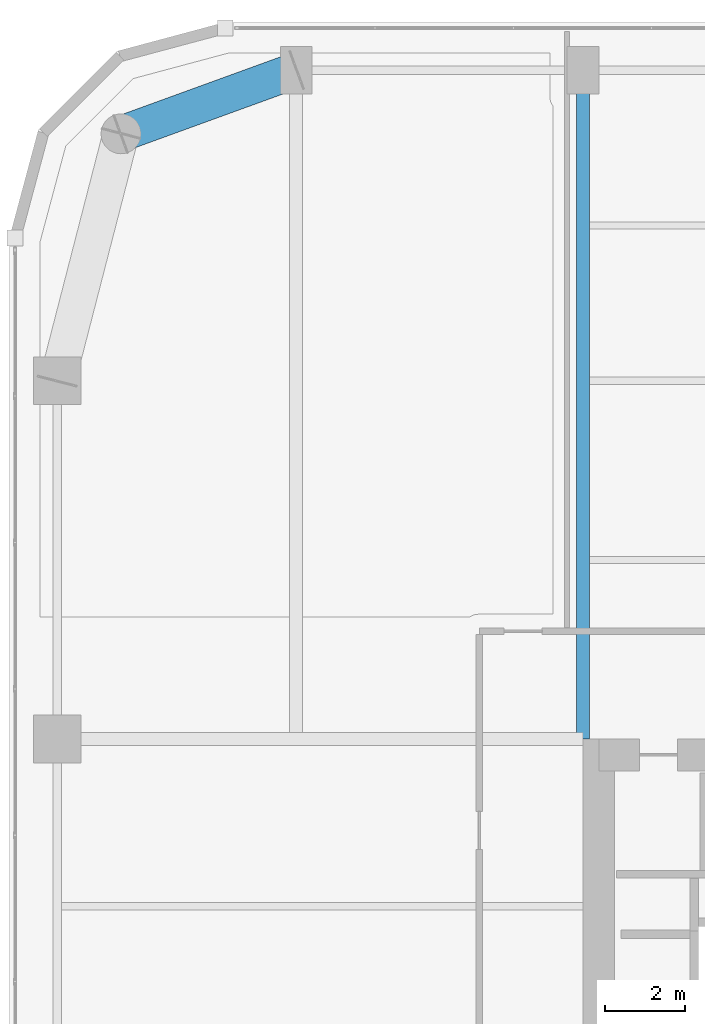
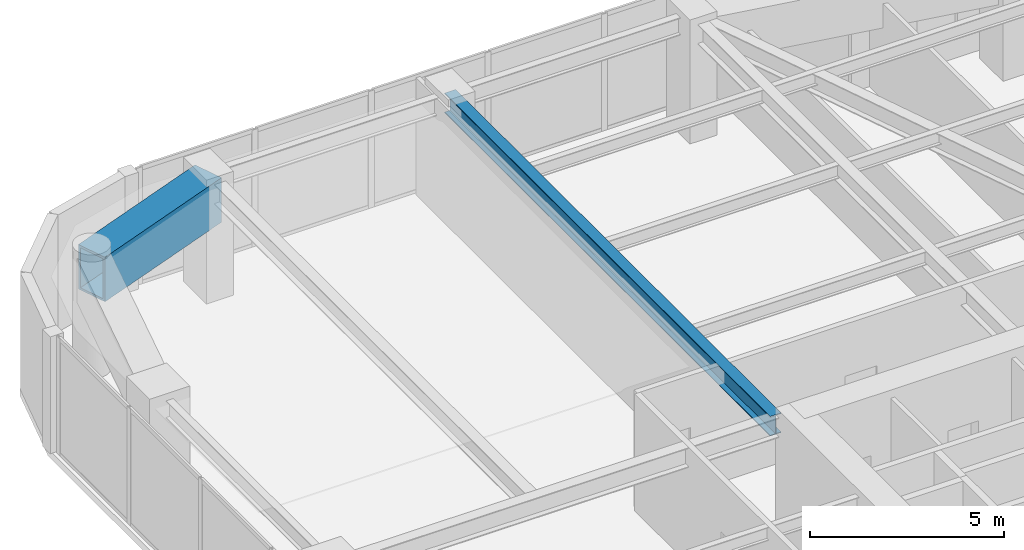
# One storey, part 16 of 30: 2 beams.
"""IFC4 building model written with IfcOpenShell, lengths in metres."""

from ifc_helpers import new_model, si_unit, direction, frame, origin, origin_2d, place, context, subcontext, project, spatial, hollow_rectangle, i_section, extrude, material, material_profile, profile_set, type_object, element, save


model = new_model("IFC4")

# Units and contexts
model_context = context("Model", 3, precision=1e-05, world=origin(), true_north=direction((0.0, 1.0)))
body_context = subcontext(model_context, "Body", "Model", "MODEL_VIEW")
ifc_project = project(units=[si_unit("LENGTHUNIT", "METRE"), si_unit("AREAUNIT", "SQUARE_METRE"), si_unit("VOLUMEUNIT", "CUBIC_METRE"), si_unit("PLANEANGLEUNIT", "RADIAN"), si_unit("MASSUNIT", "GRAM", prefix="KILO")], contexts=[model_context])

# Site, building, storey
site_placement = place(None, origin())
site = spatial("IfcSite", under=ifc_project, at=site_placement, CompositionType="ELEMENT")
building_placement = place(site_placement, origin())
building = spatial("IfcBuilding", under=site, at=building_placement, Name="Kiyonajd Concourse Tower", CompositionType="ELEMENT")
storey_placement = place(building_placement, frame((0.0, 0.0, 170.10009765625)))
storey = spatial("IfcBuildingStorey", under=building, at=storey_placement, Name="L43", CompositionType="ELEMENT", Elevation=170.10009765625)

# Beams
ifc_material_1 = material(Name="Steel ASTM A992 Grade 50", Category="steel")
ifc_material_profile_1 = material_profile(ifc_material_1, i_section(OverallWidth=0.326904296875, OverallDepth=0.6220703125, WebThickness=0.015380859375, FlangeThickness=0.0244140625, at=origin_2d()), Name="W610X195")
ifc_profile_set_1 = profile_set([ifc_material_profile_1], Name="Steel ASTM A992 Grade 50")
beam_type_1 = type_object("IfcBeamType", Name="BM-TWR-610A", PredefinedType="BEAM", material=ifc_profile_set_1)
beam_1_placement = place(storey_placement, frame((32.39990234375, 44.39990234375, 3.368896484375), z_axis=(0.0, 1.0, 0.0), x_axis=(-1.0, 0.0, 0.0)))
element("IfcBeam", 1, at=beam_1_placement, inside=storey, type_object=beam_type_1, Name="L43 North Lease Girder", PredefinedType="BEAM", context=body_context, shape_type="SweptSolid", body=[
    extrude(i_section(OverallWidth=0.326904296875, OverallDepth=0.6220703125, WebThickness=0.015380859375, FlangeThickness=0.0244140625, at=origin_2d()), origin(), (0.0, 0.0, 1.0), 16.800048828125),
])
ifc_material_2 = material(Name="Steel ASTM A572 Grade 50", Category="steel")
ifc_material_profile_2 = material_profile(ifc_material_2, hollow_rectangle(XDim=0.89990234375, YDim=1.39990234375, WallThickness=0.070068359375, at=origin_2d()), Name="BOX-1400x900x70")
ifc_profile_set_2 = profile_set([ifc_material_profile_2], Name="Steel ASTM A572 Grade 50")
beam_type_2 = type_object("IfcBeamType", Name="BM-XFER-1400", PredefinedType="BEAM", material=ifc_profile_set_2)
beam_2_placement = place(storey_placement, frame((25.199951171875, 61.199951171875, 2.97998046875), z_axis=(-0.939801036019, -0.341722127901, 0.0), x_axis=(0.341722127901, -0.939801036019, 0.0)))
element("IfcBeam", 2, at=beam_2_placement, inside=storey, type_object=beam_type_2, Name="L43 Perimeter Bundled Tube Spandrel", PredefinedType="BEAM", context=body_context, shape_type="SweptSolid", body=[
    extrude(hollow_rectangle(XDim=0.89990234375, YDim=1.39990234375, WallThickness=0.070068359375, at=origin_2d()), origin(), (0.0, 0.0, 1.0), 4.681640625),
])

save(model, "model.ifc")
